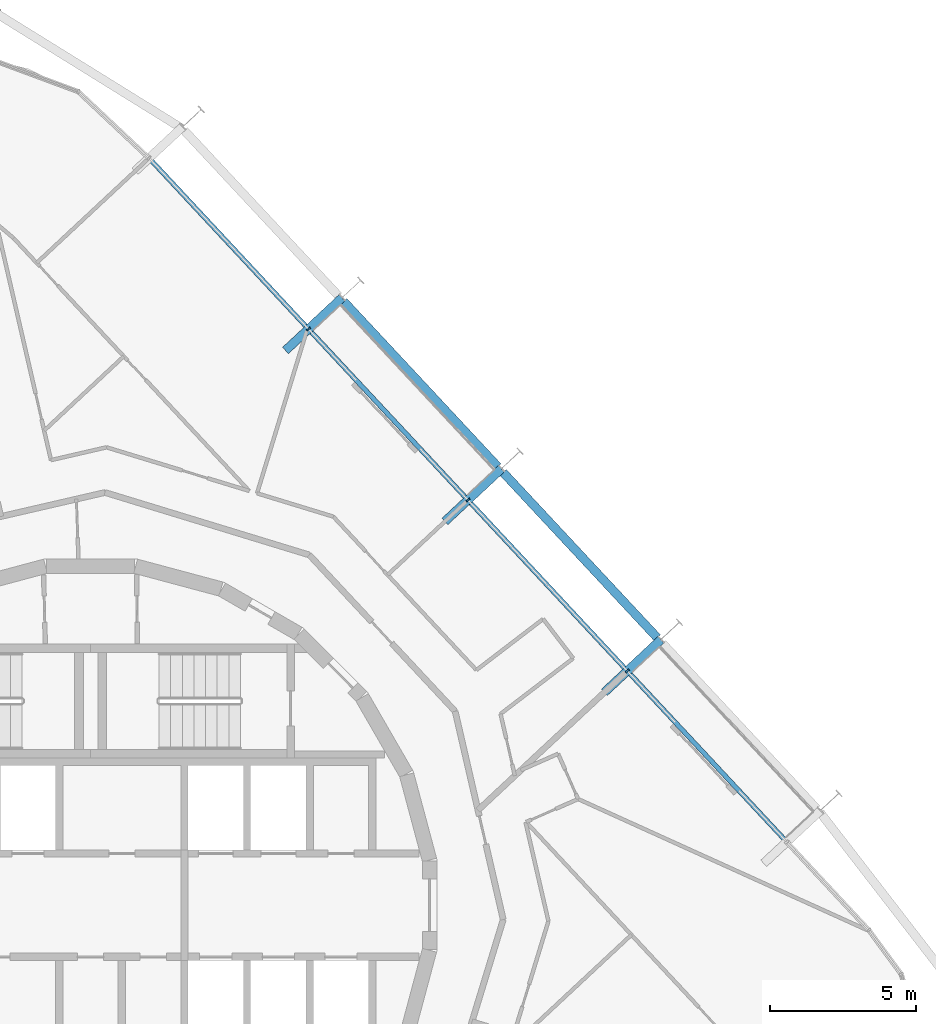
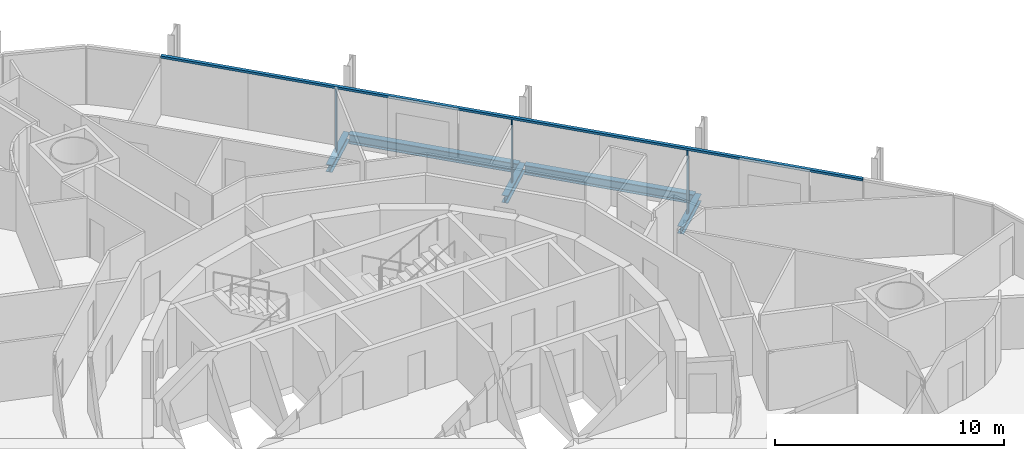
# One storey, part 9 of 18: 5 beams, 4 members, 1 element without a shape of its own.
"""IFC4 building model written with IfcOpenShell, lengths in metres."""

import ifcopenshell
import ifcopenshell.guid

model = None  # the IFC model being written
_history = None  # IfcOwnerHistory: only IFC2X3 demands one
_inside = {}  # id of a spatial element -> (the spatial element, [elements in it])
_under = {}  # id of a project, library or spatial element -> (it, [spatial elements below it])
_declared = {}  # id of a project -> (the project, [libraries it declares])
_typed = {}  # id of a type object -> (the type object, [elements of that type])
_made_of = {}  # id of a material, layer set ... -> (it, [elements and type objects made of it])


def new_model(schema):
    """Start an empty IFC model of exactly this schema.

    Asked for "IFC4X3", IfcOpenShell would pick the latest addendum, in which some entities
    have other attributes; the version numbers below select the first issue.
    IFC2X3 requires an IfcOwnerHistory on every rooted entity: one is made here for all.
    """
    global model, _history
    if schema == "IFC4X3":
        model = ifcopenshell.file(schema_version=(4, 3, 0, 0))
    else:
        model = ifcopenshell.file(schema=schema)
    _inside.clear()
    _under.clear()
    _declared.clear()
    _typed.clear()
    _made_of.clear()
    _history = None
    if model.schema == "IFC2X3":
        org = make("IfcOrganization", Name="unknown")
        user = make(
            "IfcPersonAndOrganization",
            ThePerson=make("IfcPerson", FamilyName="unknown"),
            TheOrganization=org,
        )
        app = make(
            "IfcApplication",
            ApplicationDeveloper=org,
            Version="unknown",
            ApplicationFullName="unknown",
            ApplicationIdentifier="unknown",
        )
        _history = make(
            "IfcOwnerHistory",
            OwningUser=user,
            OwningApplication=app,
            ChangeAction="ADDED",
            CreationDate=0,
        )
    return model


def make(cls, **values):
    """One entity of the class cls with the attributes given. An attribute that is None is left unset."""
    return model.create_entity(
        cls, **{name: value for name, value in values.items() if value is not None}
    )


def rooted(cls, **values):
    """An entity with a GlobalId (a new one), such as an element, a storey or a relation."""
    return make(cls, GlobalId=ifcopenshell.guid.new(), OwnerHistory=_history, **values)


def si_unit(unit_type, name, prefix=None):
    """IfcSIUnit, for example si_unit("LENGTHUNIT", "METRE", prefix="MILLI")."""
    return make("IfcSIUnit", UnitType=unit_type, Prefix=prefix, Name=name)


def assignment(units):
    """IfcUnitAssignment: the units of a project."""
    return None if units is None else make("IfcUnitAssignment", Units=units)


def point(xyz):
    """IfcCartesianPoint."""
    return None if xyz is None else make("IfcCartesianPoint", Coordinates=xyz)


def direction(xyz):
    """IfcDirection."""
    return None if xyz is None else make("IfcDirection", DirectionRatios=xyz)


def frame(location, z_axis=None, x_axis=None):
    """IfcAxis2Placement3D, a coordinate frame: its origin and axes. An axis left out is left unset."""
    return make(
        "IfcAxis2Placement3D",
        Location=point(location),
        Axis=direction(z_axis),
        RefDirection=direction(x_axis),
    )


def frame_2d(location, x_axis=None):
    """IfcAxis2Placement2D, a coordinate frame in the plane: its origin and x axis."""
    return make(
        "IfcAxis2Placement2D", Location=point(location), RefDirection=direction(x_axis)
    )


def origin():
    """The frame at (0, 0, 0) with its axes left unset."""
    return frame((0.0, 0.0, 0.0))


def origin_2d():
    """The frame at (0, 0) in the plane with its x axis left unset."""
    return frame_2d((0.0, 0.0))


def place(relative_to, where):
    """IfcLocalPlacement: puts the frame where relative to a parent placement (None: the world)."""
    return make(
        "IfcLocalPlacement", PlacementRelTo=relative_to, RelativePlacement=where
    )


def context(
    kind, dimensions, precision=None, world=None, true_north=None, identifier=None
):
    """IfcGeometricRepresentationContext, for example the 3D "Model" context."""
    return make(
        "IfcGeometricRepresentationContext",
        ContextIdentifier=identifier,
        ContextType=kind,
        CoordinateSpaceDimension=dimensions,
        Precision=precision,
        WorldCoordinateSystem=world,
        TrueNorth=true_north,
    )


def subcontext(parent, identifier, kind, view, scale=None):
    """IfcGeometricRepresentationSubContext, for example "Body" below "Model"."""
    return make(
        "IfcGeometricRepresentationSubContext",
        ContextIdentifier=identifier,
        ContextType=kind,
        ParentContext=parent,
        TargetScale=scale,
        TargetView=view,
    )


def project(units=None, contexts=None):
    """IfcProject with its units and contexts."""
    return rooted(
        "IfcProject",
        Name="project",
        RepresentationContexts=contexts,
        UnitsInContext=assignment(units),
    )


def spatial(cls, under=None, at=None, **own):
    """A site, building, storey or space (cls), placed at a placement, below another one or the project."""
    s = rooted(cls, ObjectPlacement=at, **own)
    if under is not None:
        _under.setdefault(under.id(), (under, []))[1].append(s)
    return s


def profile(cls, at=None, kind="AREA", **sizes):
    """A parametric profile (cls). Its sizes go by their IFC names, for example OverallWidth=200.0."""
    return make(cls, ProfileType=kind, Position=at, **sizes)


def rectangle(**sizes):
    """IfcRectangleProfileDef."""
    return profile("IfcRectangleProfileDef", **sizes)


def i_section(**sizes):
    """IfcIShapeProfileDef."""
    return profile("IfcIShapeProfileDef", **sizes)


def extrude(swept, where, along, depth):
    """IfcExtrudedAreaSolid: the profile swept, set in the frame where, extruded along a direction by depth."""
    return make(
        "IfcExtrudedAreaSolid",
        SweptArea=swept,
        Position=where,
        ExtrudedDirection=direction(along),
        Depth=depth,
    )


def shape(context_of_items, identifier, shape_type, items):
    """IfcShapeRepresentation: the items that make up one representation, for example the "Body"."""
    return make(
        "IfcShapeRepresentation",
        ContextOfItems=context_of_items,
        RepresentationIdentifier=identifier,
        RepresentationType=shape_type,
        Items=items,
    )


def material(Name=None, Category=None):
    """IfcMaterial."""
    return make("IfcMaterial", Name=Name, Category=Category)


def layer(
    of_material, thickness, ventilated=None, Name=None, Category=None, Priority=None
):
    """IfcMaterialLayer: one layer of a wall or slab, of a material (None: an air gap)."""
    return make(
        "IfcMaterialLayer",
        Material=of_material,
        LayerThickness=thickness,
        IsVentilated=ventilated,
        Name=Name,
        Category=Category,
        Priority=Priority,
    )


def layer_set(layers, Name=None):
    """IfcMaterialLayerSet."""
    return make("IfcMaterialLayerSet", MaterialLayers=layers, LayerSetName=Name)


def material_profile(
    of_material, cross_section, Name=None, Category=None, Priority=None
):
    """IfcMaterialProfile: a cross section and its material."""
    return make(
        "IfcMaterialProfile",
        Name=Name,
        Material=of_material,
        Profile=cross_section,
        Priority=Priority,
        Category=Category,
    )


def profile_set(profiles, Name=None, composite=None):
    """IfcMaterialProfileSet."""
    return make(
        "IfcMaterialProfileSet",
        Name=Name,
        MaterialProfiles=profiles,
        CompositeProfile=composite,
    )


def made_of(thing, what):
    """Note that an element or type object is made of a material, layer set ...; save() writes the relation."""
    if what is not None:
        _made_of.setdefault(what.id(), (what, []))[1].append(thing)
    return thing


def type_object(cls, material=None, **own):
    """A type object (cls), such as IfcWallType, which elements share."""
    return made_of(rooted(cls, **own), material)


def element(
    cls,
    number,
    at=None,
    inside=None,
    cuts=None,
    type_object=None,
    material=None,
    context=None,
    identifier="Body",
    shape_type=None,
    held_by="IfcProductDefinitionShape",
    body=None,
    shapes=None,
    **own,
):
    """One element of the class cls, such as IfcWall. Its Tag is "e" and its number.

    at: its placement. inside: the storey or other place that contains it. cuts: it is an
    opening in that element (IfcRelVoidsElement). A single representation is given by context,
    identifier, shape_type and body (its items); several are given by shapes. held_by: the class
    of the entity that holds the representations. save() writes the other relations.
    """
    e = rooted(cls, Tag="e%d" % number, ObjectPlacement=at, **own)
    if body is not None:
        shapes = [shape(context, identifier, shape_type, body)]
    if shapes is not None:
        e.Representation = make(held_by, Representations=shapes)
    if inside is not None:
        _inside.setdefault(inside.id(), (inside, []))[1].append(e)
    if cuts is not None:
        rooted(
            "IfcRelVoidsElement", RelatingBuildingElement=cuts, RelatedOpeningElement=e
        )
    if type_object is not None:
        _typed.setdefault(type_object.id(), (type_object, []))[1].append(e)
    return made_of(e, material)


def aggregate(whole, parts):
    """IfcRelAggregates: a whole, such as a stair, and the parts it consists of."""
    return rooted("IfcRelAggregates", RelatingObject=whole, RelatedObjects=parts)


def save(model, path):
    """Write the relations noted so far, then the file.

    IfcRelAggregates (storeys below a building ...), IfcRelContainedInSpatialStructure (elements
    in a storey), IfcRelDefinesByType, IfcRelAssociatesMaterial and IfcRelDeclares: one each for
    every whole, place, type object, material and project.
    """
    for whole, parts in _under.values():
        aggregate(whole, parts)
    for where, things in _inside.values():
        rooted(
            "IfcRelContainedInSpatialStructure",
            RelatedElements=things,
            RelatingStructure=where,
        )
    for kind, things in _typed.values():
        rooted("IfcRelDefinesByType", RelatedObjects=things, RelatingType=kind)
    for what, things in _made_of.values():
        rooted("IfcRelAssociatesMaterial", RelatedObjects=things, RelatingMaterial=what)
    for by, libraries in _declared.values():
        rooted("IfcRelDeclares", RelatingContext=by, RelatedDefinitions=libraries)
    model.write(path)


model = new_model("IFC4")

# Units and contexts
model_context = context("Model", 3, precision=1e-05, world=origin(), true_north=direction((0.0, 1.0)))
body_context = subcontext(model_context, "Body", "Model", "MODEL_VIEW")
ifc_project = project(units=[si_unit("LENGTHUNIT", "METRE"), si_unit("AREAUNIT", "SQUARE_METRE"), si_unit("VOLUMEUNIT", "CUBIC_METRE"), si_unit("PLANEANGLEUNIT", "RADIAN"), si_unit("MASSUNIT", "GRAM", prefix="KILO")], contexts=[model_context])

# Site, building, storey
site_placement = place(None, origin())
site = spatial("IfcSite", under=ifc_project, at=site_placement, CompositionType="ELEMENT")
building_placement = place(site_placement, origin())
building = spatial("IfcBuilding", under=site, at=building_placement, Name="Spindle Arch Residences", CompositionType="ELEMENT")
storey_placement = place(building_placement, frame((0.0, 0.0, 123.89990234375)))
storey = spatial("IfcBuildingStorey", under=building, at=storey_placement, Name="L30", CompositionType="ELEMENT", Elevation=123.89990234375)

# Curtain wall, members
ifc_material_1 = material(Name="Aluminium bronze unitised frame with tinted glass", Category="aluminium")
ifc_layer = layer(ifc_material_1, 0.159912109375)
ifc_layer_set = layer_set([ifc_layer], Name="CW-C typical residential unitised wall")
curtain_wall_type = type_object("IfcCurtainWallType", Name="CW-C typical residential unitised wall", PredefinedType="NOTDEFINED", material=ifc_layer_set)
curtain_wall_placement = place(storey_placement, origin())
curtain_wall = element("IfcCurtainWall", 1, at=curtain_wall_placement, inside=storey, type_object=curtain_wall_type, Name="CW-C L30 run 2", PredefinedType="NOTDEFINED")
ifc_material_2 = material(Name="Aluminium bronze anodised mullion", Category="aluminium")
ifc_material_profile_1 = material_profile(ifc_material_2, rectangle(XDim=0.159912109375, YDim=0.06005859375, at=origin_2d()), Name="MU 60x160")
ifc_profile_set_1 = profile_set([ifc_material_profile_1], Name="Aluminium bronze anodised mullion")
member_type_1 = type_object("IfcMemberType", Name="Bronze mullion 60x160", PredefinedType="MULLION", material=ifc_profile_set_1)
member_1_placement = place(storey_placement, frame((18.437744140625, 8.044677734375, -0.3798828125), z_axis=(0.0, 0.0, 1.0), x_axis=(-0.731353701619, -0.681998360062, 0.0)))
member_1 = element("IfcMember", 2, at=member_1_placement, type_object=member_type_1, Name="CW-C mullion 06", PredefinedType="MULLION", context=body_context, shape_type="SweptSolid", body=[
    extrude(rectangle(XDim=0.159912109375, YDim=0.06005859375, at=origin_2d()), origin(), (0.0, 0.0, 1.0), 3.3798828125),
])
member_2_placement = place(storey_placement, frame((12.961669921875, 13.916748046875, -0.3798828125), z_axis=(0.0, 0.0, 1.0), x_axis=(-0.731353701619, -0.681998360062, 0.0)))
member_2 = element("IfcMember", 3, at=member_2_placement, type_object=member_type_1, Name="CW-C mullion 07", PredefinedType="MULLION", context=body_context, shape_type="SweptSolid", body=[
    extrude(rectangle(XDim=0.159912109375, YDim=0.06005859375, at=origin_2d()), origin(), (0.0, 0.0, 1.0), 3.3798828125),
])
member_3_placement = place(storey_placement, frame((7.48583984375, 19.7890625, -0.3798828125), z_axis=(0.0, 0.0, 1.0), x_axis=(-0.731353701619, -0.681998360062, 0.0)))
member_3 = element("IfcMember", 4, at=member_3_placement, type_object=member_type_1, Name="CW-C mullion 08", PredefinedType="MULLION", context=body_context, shape_type="SweptSolid", body=[
    extrude(rectangle(XDim=0.159912109375, YDim=0.06005859375, at=origin_2d()), origin(), (0.0, 0.0, 1.0), 3.3798828125),
])
ifc_material_3 = material(Name="Aluminium bronze anodised transom", Category="aluminium")
ifc_material_profile_2 = material_profile(ifc_material_3, rectangle(XDim=0.159912109375, YDim=0.1201171875, at=origin_2d()), Name="TR 120x160")
ifc_profile_set_2 = profile_set([ifc_material_profile_2], Name="Aluminium bronze anodised transom")
member_type_2 = type_object("IfcMemberType", Name="Bronze transom 120x160", PredefinedType="USERDEFINED", material=ifc_profile_set_2)
member_4_placement = place(storey_placement, frame((23.89306640625, 2.1943359375, 3.06005859375), z_axis=(-0.681996633995, 0.731355311199, 0.0), x_axis=(-0.731355311199, -0.681996633995, 0.0)))
member_4 = element("IfcMember", 5, at=member_4_placement, type_object=member_type_2, Name="CW-C transom 00", ObjectType="TRANSOM", PredefinedType="USERDEFINED", context=body_context, shape_type="SweptSolid", body=[
    extrude(rectangle(XDim=0.159912109375, YDim=0.1201171875, at=origin_2d()), origin(), (0.0, 0.0, 1.0), 32.056640625),
])
aggregate(curtain_wall, [member_4, member_1, member_2, member_3])

# Beams
ifc_material_4 = material(Name="Steel S460ML, intumescent coating R 120", Category="steel")
ifc_material_profile_3 = material_profile(ifc_material_4, i_section(OverallWidth=0.300048828125, OverallDepth=0.5, WebThickness=0.014404296875, FlangeThickness=0.028076171875, FilletRadius=0.027099609375, at=origin_2d()), Name="HEB 500")
ifc_profile_set_3 = profile_set([ifc_material_profile_3], Name="Steel S460ML, intumescent coating R 120")
beam_type_1 = type_object("IfcBeamType", Name="Exoskeleton edge beam HEB 500", PredefinedType="BEAM", material=ifc_profile_set_3)
beam_1_placement = place(storey_placement, frame((19.468017578125, 9.18310546875, -0.6298828125), z_axis=(-0.681992374481, 0.731359283218, 0.0), x_axis=(-0.731359283218, -0.681992374481, 0.0)))
element("IfcBeam", 6, at=beam_1_placement, inside=storey, type_object=beam_type_1, Name="Exoskeleton edge beam 7", PredefinedType="BEAM", context=body_context, shape_type="SweptSolid", body=[
    extrude(i_section(OverallWidth=0.300048828125, OverallDepth=0.5, WebThickness=0.014404296875, FlangeThickness=0.028076171875, FilletRadius=0.027099609375, at=origin_2d()), origin(), (0.0, 0.0, 1.0), 7.769287109375),
])
beam_2_placement = place(storey_placement, frame((13.9921875, 15.055419921875, -0.6298828125), z_axis=(-0.682008048331, 0.731344667042, 0.0), x_axis=(-0.731344667042, -0.682008048331, 0.0)))
element("IfcBeam", 7, at=beam_2_placement, inside=storey, type_object=beam_type_1, Name="Exoskeleton edge beam 8", PredefinedType="BEAM", context=body_context, shape_type="SweptSolid", body=[
    extrude(i_section(OverallWidth=0.300048828125, OverallDepth=0.5, WebThickness=0.014404296875, FlangeThickness=0.028076171875, FilletRadius=0.027099609375, at=origin_2d()), origin(), (0.0, 0.0, 1.0), 7.76904296875),
])
ifc_material_5 = material(Name="Steel S460ML, intumescent coating R 120", Category="steel")
ifc_material_profile_4 = material_profile(ifc_material_5, i_section(OverallWidth=0.300048828125, OverallDepth=0.389892578125, WebThickness=0.010986328125, FlangeThickness=0.01904296875, FilletRadius=0.027099609375, at=origin_2d()), Name="HEA 400")
ifc_profile_set_4 = profile_set([ifc_material_profile_4], Name="Steel S460ML, intumescent coating R 120")
beam_type_2 = type_object("IfcBeamType", Name="Floor outrigger HEA 400", PredefinedType="BEAM", material=ifc_profile_set_4)
beam_3_placement = place(storey_placement, frame((19.5859375, 9.115478515625, -0.574951171875), z_axis=(-0.731364603864, -0.681986668649, 0.0), x_axis=(0.681986668649, -0.731364603864, 0.0)))
element("IfcBeam", 8, at=beam_3_placement, inside=storey, type_object=beam_type_2, Name="Floor outrigger 7", PredefinedType="BEAM", context=body_context, shape_type="SweptSolid", body=[
    extrude(i_section(OverallWidth=0.300048828125, OverallDepth=0.389892578125, WebThickness=0.010986328125, FlangeThickness=0.01904296875, FilletRadius=0.027099609375, at=origin_2d()), origin(), (0.0, 0.0, 1.0), 2.650146484375),
])
for number, where, z_axis, x_axis, name in (
    (9, (14.110107421875, 14.987548828125, -0.574951171875), (-0.731410554291, -0.681937387941, 0.0), (0.681937387941, -0.731410554291, 0.0), "Floor outrigger 8"),
    (10, (8.634033203125, 20.859619140625, -0.574951171875), (-0.731367706511, -0.681983341345, 0.0), (0.681983341345, -0.731367706511, 0.0), "Floor outrigger 9"),
):
    element("IfcBeam", number, at=place(storey_placement, frame(where, z_axis=z_axis, x_axis=x_axis)), inside=storey, type_object=beam_type_2, Name=name, PredefinedType="BEAM", context=body_context, shape_type="SweptSolid", body=[
        extrude(i_section(OverallWidth=0.300048828125, OverallDepth=0.389892578125, WebThickness=0.010986328125, FlangeThickness=0.01904296875, FilletRadius=0.027099609375, at=origin_2d()), origin(), (0.0, 0.0, 1.0), 2.64990234375),
    ])

save(model, "model.ifc")
